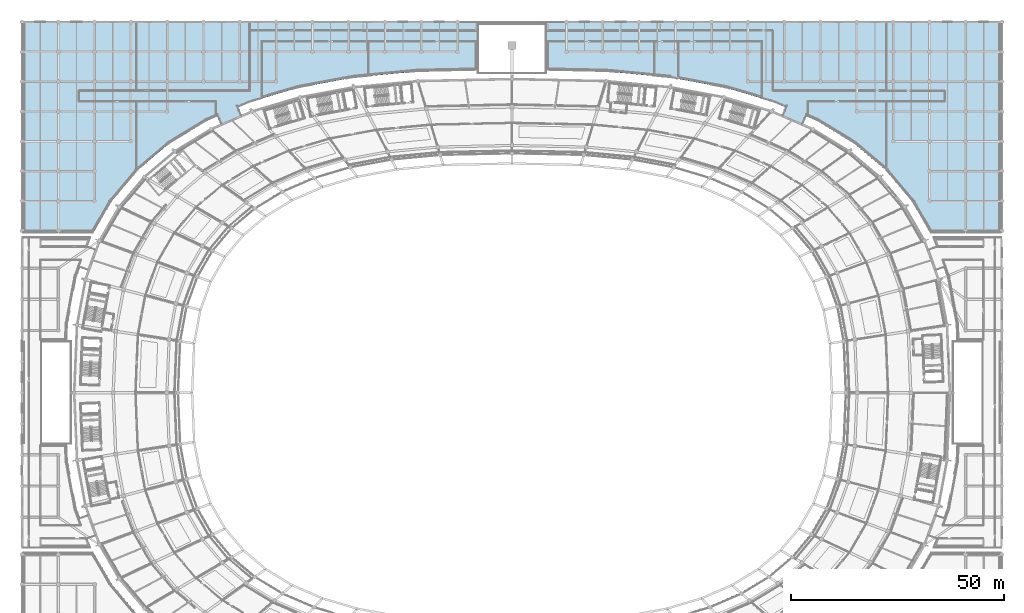
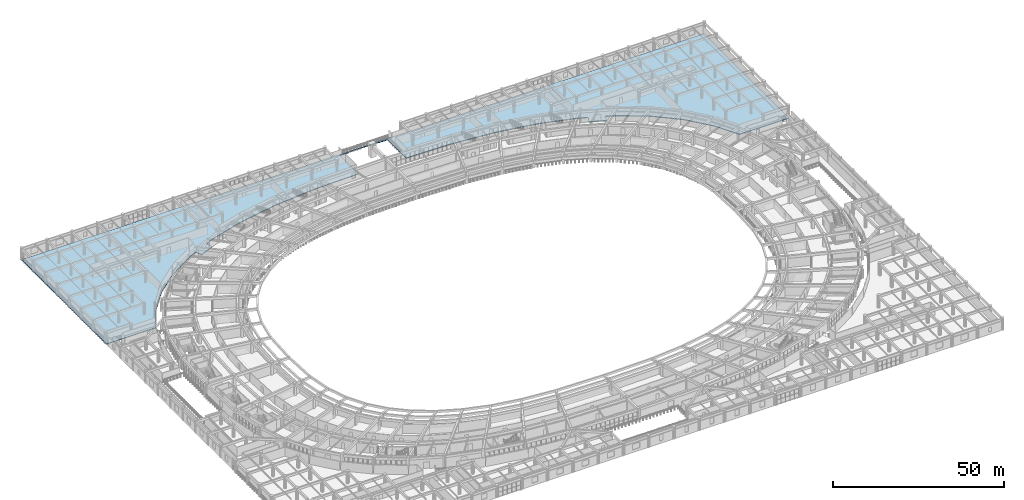
# One storey, part 88 of 145: 1 slab.
"""IFC4 building model written with IfcOpenShell, lengths in metres."""

from ifc_helpers import new_model, si_unit, direction, frame, origin, place, context, subcontext, project, spatial, polyline, outline, extrude, material, layer, layer_set, type_object, element, save


model = new_model("IFC4")

# Units and contexts
model_context = context("Model", 3, precision=1e-05, world=origin(), true_north=direction((0.0, 1.0)))
body_context = subcontext(model_context, "Body", "Model", "MODEL_VIEW")
ifc_project = project(units=[si_unit("LENGTHUNIT", "METRE"), si_unit("AREAUNIT", "SQUARE_METRE"), si_unit("VOLUMEUNIT", "CUBIC_METRE"), si_unit("PLANEANGLEUNIT", "RADIAN"), si_unit("MASSUNIT", "GRAM", prefix="KILO")], contexts=[model_context])

# Site, building, storey
site_placement = place(None, origin())
site = spatial("IfcSite", under=ifc_project, at=site_placement, CompositionType="ELEMENT")
building_placement = place(site_placement, origin())
building = spatial("IfcBuilding", under=site, at=building_placement, Name="Mphavela Belvedere Stadium", CompositionType="ELEMENT")
storey_placement = place(building_placement, frame((0.0, 0.0, 10.199951171875)))
storey = spatial("IfcBuildingStorey", under=building, at=storey_placement, Name="L02", CompositionType="ELEMENT", Elevation=10.199951171875)

# Slab
ifc_material = material(Name="Concrete C40/50", Category="concrete")
ifc_layer = layer(ifc_material, 0.260009765625)
ifc_layer_set = layer_set([ifc_layer], Name="Concrete C40/50")
slab_type = type_object("IfcSlabType", Name="SLB-PAVILION-260", PredefinedType="FLOOR", material=ifc_layer_set)
slab_placement = place(storey_placement, frame((0.0, 0.0, -0.260009765625)))
element("IfcSlab", 1, at=slab_placement, inside=storey, type_object=slab_type, Name="North Mast and Ceremonial End Forecourt floor slab L02-1", PredefinedType="FLOOR", context=body_context, shape_type="SweptSolid", body=[
    extrude(outline(polyline([(213.346435546875, 124.5), (209.147216796875, 131.7626953125), (209.042236328125, 131.9267578125), (208.92333984375, 132.080810546875), (203.019287109375, 139.072998046875), (202.893798828125, 139.20947265625), (202.757080078125, 139.3349609375), (195.574462890625, 145.39599609375), (195.4404296875, 145.500244140625), (195.299072265625, 145.593994140625), (186.839599609375, 150.740478515625), (186.5712890625, 150.87939453125), (184.077392578125, 151.96044921875), (183.202392578125, 149.94189453125), (178.431396484375, 152.01025390625), (179.306396484375, 154.02880859375), (176.8125, 155.10986328125), (176.563720703125, 155.2001953125), (165.42724609375, 158.505859375), (165.2041015625, 158.559814453125), (152.4755859375, 160.93017578125), (152.281494140625, 160.95751953125), (137.323486328125, 162.3837890625), (137.162109375, 162.393310546875), (123.0, 162.6982421875), (123.0, 173.5), (120.199951171875, 173.5), (120.199951171875, 173.699951171875), (109.800048828125, 173.699951171875), (109.800048828125, 173.5), (107.0, 173.5), (107.0, 162.6982421875), (92.837890625, 162.393310546875), (92.676513671875, 162.3837890625), (77.718505859375, 160.95751953125), (77.5244140625, 160.93017578125), (64.7958984375, 158.559814453125), (64.57275390625, 158.505859375), (53.436279296875, 155.2001953125), (53.1875, 155.10986328125), (50.693603515625, 154.02880859375), (51.568603515625, 152.01025390625), (46.797607421875, 149.94189453125), (45.922607421875, 151.96044921875), (43.4287109375, 150.87939453125), (43.160400390625, 150.740478515625), (34.700927734375, 145.593994140625), (34.5595703125, 145.500244140625), (34.425537109375, 145.39599609375), (27.242919921875, 139.3349609375), (27.106201171875, 139.20947265625), (26.980712890625, 139.072998046875), (21.07666015625, 132.080810546875), (20.957763671875, 131.9267578125), (20.852783203125, 131.7626953125), (16.653564453125, 124.5), (0.0, 124.5), (0.0, 174.0), (230.0, 174.0), (230.0, 124.5), (213.346435546875, 124.5)])), origin(), (0.0, 0.0, 1.0), 0.260009765625),
])

save(model, "model.ifc")
